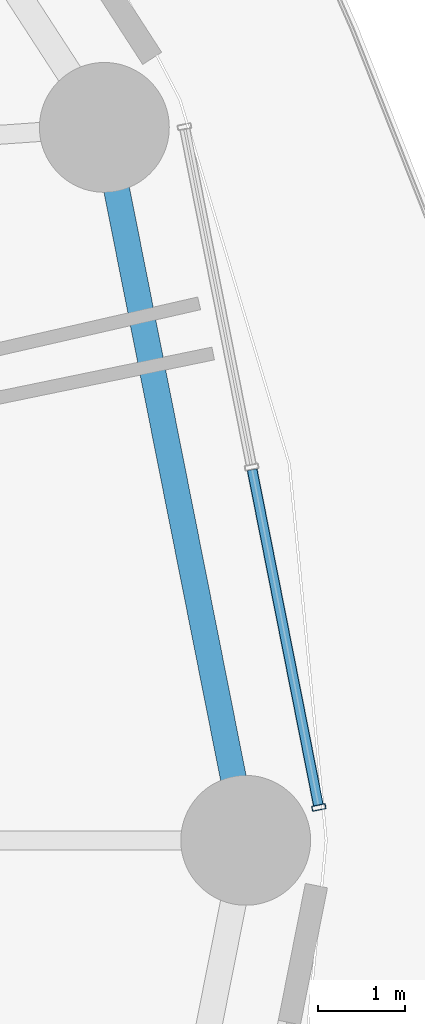
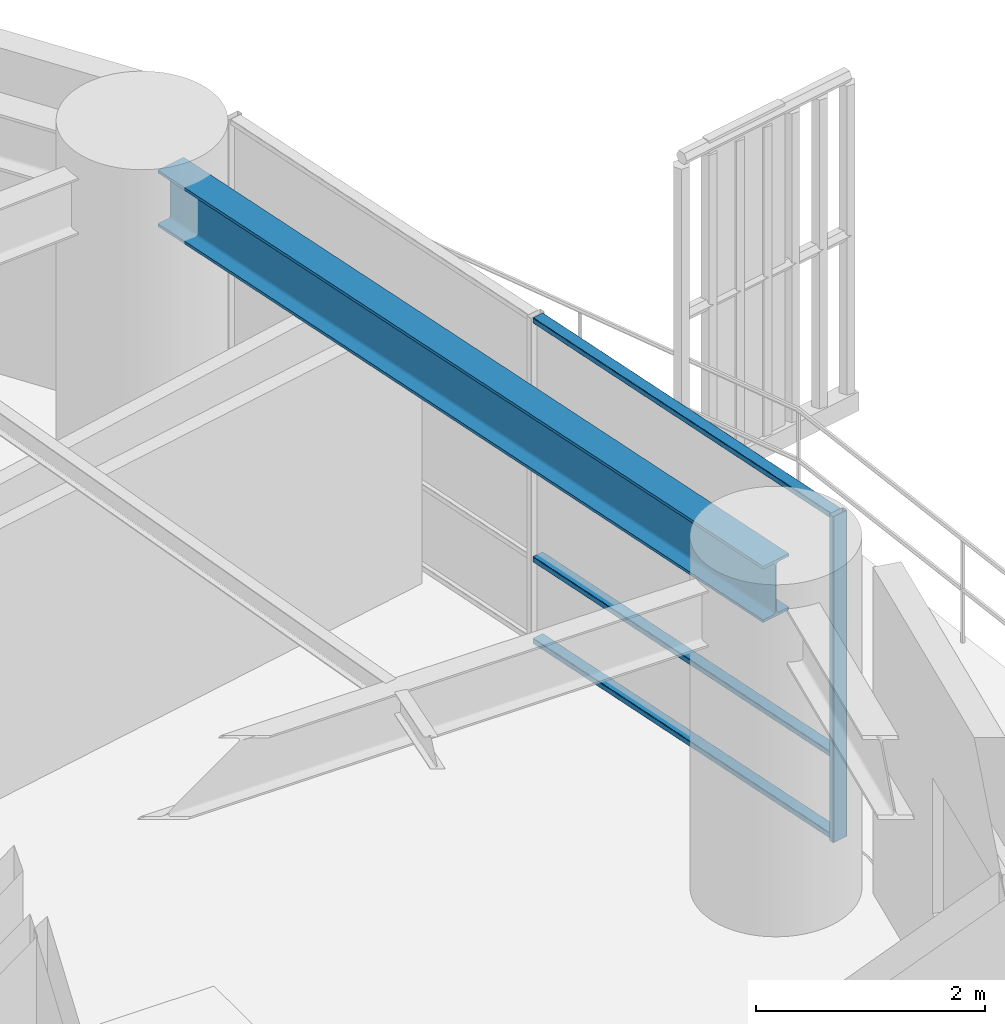
# One storey, part 14 of 34: 4 members, 1 beam, 1 element without a shape of its own.
"""IFC4 building model written with IfcOpenShell, lengths in metres."""

from ifc_helpers import new_model, si_unit, direction, frame, origin, origin_2d, place, context, subcontext, project, spatial, hollow_rectangle, i_section, extrude, material, layer, layer_set, material_profile, profile_set, type_object, element, aggregate, save


model = new_model("IFC4")

# Units and contexts
model_context = context("Model", 3, precision=1e-05, world=origin(), true_north=direction((0.0, 1.0)))
body_context = subcontext(model_context, "Body", "Model", "MODEL_VIEW")
ifc_project = project(units=[si_unit("LENGTHUNIT", "METRE"), si_unit("AREAUNIT", "SQUARE_METRE"), si_unit("VOLUMEUNIT", "CUBIC_METRE"), si_unit("PLANEANGLEUNIT", "RADIAN"), si_unit("MASSUNIT", "GRAM", prefix="KILO")], contexts=[model_context])

# Site, building, storey
site_placement = place(None, origin())
site = spatial("IfcSite", under=ifc_project, at=site_placement, CompositionType="ELEMENT")
building_placement = place(site_placement, origin())
building = spatial("IfcBuilding", under=site, at=building_placement, Name="Kelanora Arch Commons", CompositionType="ELEMENT")
storey_placement = place(building_placement, frame((0.0, 0.0, 33.75)))
storey = spatial("IfcBuildingStorey", under=building, at=storey_placement, Name="L08", CompositionType="ELEMENT", Elevation=33.75)

# Beam
ifc_material_1 = material(Name="Steel S355", Category="steel")
ifc_material_profile_1 = material_profile(ifc_material_1, i_section(OverallWidth=0.300048828125, OverallDepth=0.60009765625, WebThickness=0.015380859375, FlangeThickness=0.030029296875, FilletRadius=0.027099609375, at=origin_2d()), Name="HEB600")
ifc_profile_set_1 = profile_set([ifc_material_profile_1], Name="Steel S355")
beam_type = type_object("IfcBeamType", Name="BM-SPN-Z1", PredefinedType="SPANDREL", material=ifc_profile_set_1)
beam_placement = place(storey_placement, frame((101.080078125, 58.0, 3.18994140625), z_axis=(-0.194522790633, 0.980897998736, 0.0), x_axis=(-0.980897998736, -0.194522790633, 0.0)))
element("IfcBeam", 1, at=beam_placement, inside=storey, type_object=beam_type, Name="Perimeter Spandrel Beam BS-00 L08", PredefinedType="SPANDREL", context=body_context, shape_type="SweptSolid", body=[
    extrude(i_section(OverallWidth=0.300048828125, OverallDepth=0.60009765625, WebThickness=0.015380859375, FlangeThickness=0.030029296875, FilletRadius=0.027099609375, at=origin_2d()), origin(), (0.0, 0.0, 1.0), 8.01611328125),
])

# Curtain wall, members
ifc_material_2 = material(Name="Terracotta ceramic-fritted low-E glass and aluminium", Category="masonry")
ifc_layer = layer(ifc_material_2, 0.159912109375)
ifc_layer_set = layer_set([ifc_layer], Name="Terracotta ceramic-fritted low-E glass and aluminium")
curtain_wall_type = type_object("IfcCurtainWallType", Name="CW-SYS-01", PredefinedType="NOTDEFINED", material=ifc_layer_set)
curtain_wall_placement = place(storey_placement, origin())
curtain_wall = element("IfcCurtainWall", 2, at=curtain_wall_placement, inside=storey, type_object=curtain_wall_type, Name="Unitised Curtain Wall L08-B00", PredefinedType="NOTDEFINED")
ifc_material_3 = material(Name="Powder-coated aluminium terracotta", Category="masonry")
ifc_material_profile_2 = material_profile(ifc_material_3, hollow_rectangle(XDim=0.159912109375, YDim=0.06005859375, WallThickness=0.0048828125, InnerFilletRadius=0.0048828125, OuterFilletRadius=0.010009765625, at=origin_2d()), Name="CWM160x60")
ifc_profile_set_2 = profile_set([ifc_material_profile_2], Name="Powder-coated aluminium terracotta")
member_type_1 = type_object("IfcMemberType", Name="CWM-STD", PredefinedType="MULLION", material=ifc_profile_set_2)
member_1_placement = place(storey_placement, frame((101.925048828125, 58.379150390625, 0.0), z_axis=(0.0, 0.0, 1.0), x_axis=(-0.981052110579, -0.193744048498, 0.0)))
member_1 = element("IfcMember", 3, at=member_1_placement, type_object=member_type_1, Name="CW-01 mullion 1", PredefinedType="MULLION", context=body_context, shape_type="SweptSolid", body=[
    extrude(hollow_rectangle(XDim=0.159912109375, YDim=0.06005859375, WallThickness=0.0048828125, InnerFilletRadius=0.0048828125, OuterFilletRadius=0.010009765625, at=origin_2d()), origin(), (0.0, 0.0, 1.0), 3.47509765625),
])
ifc_material_profile_3 = material_profile(ifc_material_3, hollow_rectangle(XDim=0.1201171875, YDim=0.06005859375, WallThickness=0.0048828125, InnerFilletRadius=0.0048828125, OuterFilletRadius=0.010009765625, at=origin_2d()), Name="CWT120x60")
ifc_profile_set_3 = profile_set([ifc_material_profile_3], Name="Powder-coated aluminium terracotta")
member_type_2 = type_object("IfcMemberType", Name="CWT-STD", PredefinedType="USERDEFINED", material=ifc_profile_set_3)
member_2_placement = place(storey_placement, frame((101.919189453125, 58.408447265625, 0.030029296875), z_axis=(-0.193725436624, 0.98105578598, 0.0), x_axis=(-0.98105578598, -0.193725436624, 0.0)))
member_2 = element("IfcMember", 4, at=member_2_placement, type_object=member_type_2, Name="CW-01 transom 1.1", ObjectType="TRANSOM", PredefinedType="USERDEFINED", context=body_context, shape_type="SweptSolid", body=[
    extrude(hollow_rectangle(XDim=0.1201171875, YDim=0.06005859375, WallThickness=0.0048828125, InnerFilletRadius=0.0048828125, OuterFilletRadius=0.010009765625, at=origin_2d()), origin(), (0.0, 0.0, 1.0), 3.9482421875),
])
member_3_placement = place(storey_placement, frame((101.919189453125, 58.408447265625, 0.89990234375), z_axis=(-0.193725436624, 0.98105578598, 0.0), x_axis=(-0.98105578598, -0.193725436624, 0.0)))
member_3 = element("IfcMember", 5, at=member_3_placement, type_object=member_type_2, Name="CW-01 transom 1.2", ObjectType="TRANSOM", PredefinedType="USERDEFINED", context=body_context, shape_type="SweptSolid", body=[
    extrude(hollow_rectangle(XDim=0.1201171875, YDim=0.06005859375, WallThickness=0.0048828125, InnerFilletRadius=0.0048828125, OuterFilletRadius=0.010009765625, at=origin_2d()), origin(), (0.0, 0.0, 1.0), 3.9482421875),
])
member_4_placement = place(storey_placement, frame((101.919189453125, 58.408447265625, 3.445068359375), z_axis=(-0.193725436624, 0.98105578598, 0.0), x_axis=(-0.98105578598, -0.193725436624, 0.0)))
member_4 = element("IfcMember", 6, at=member_4_placement, type_object=member_type_2, Name="CW-01 transom 1.3", ObjectType="TRANSOM", PredefinedType="USERDEFINED", context=body_context, shape_type="SweptSolid", body=[
    extrude(hollow_rectangle(XDim=0.1201171875, YDim=0.06005859375, WallThickness=0.0048828125, InnerFilletRadius=0.0048828125, OuterFilletRadius=0.010009765625, at=origin_2d()), origin(), (0.0, 0.0, 1.0), 3.9482421875),
])
aggregate(curtain_wall, [member_1, member_2, member_3, member_4])

save(model, "model.ifc")
